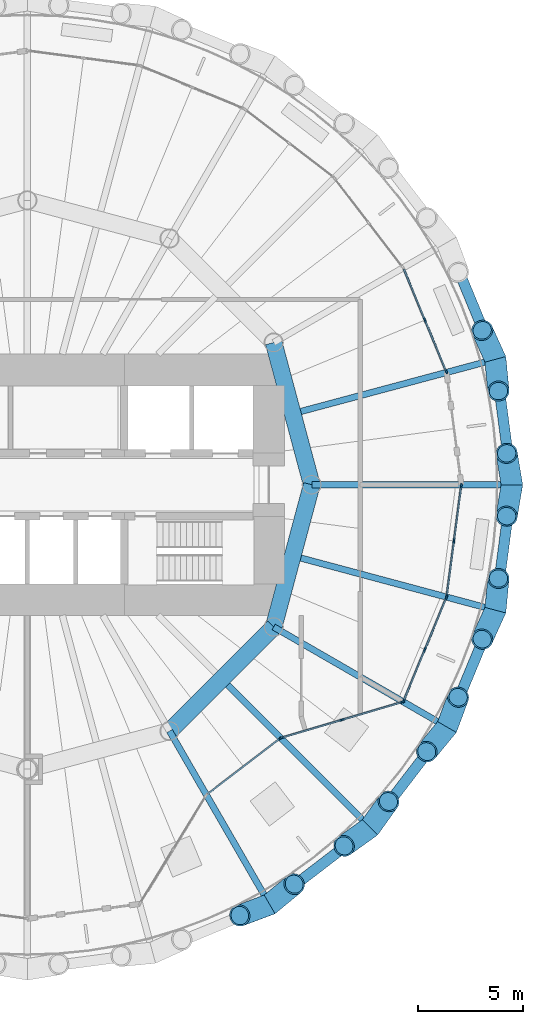
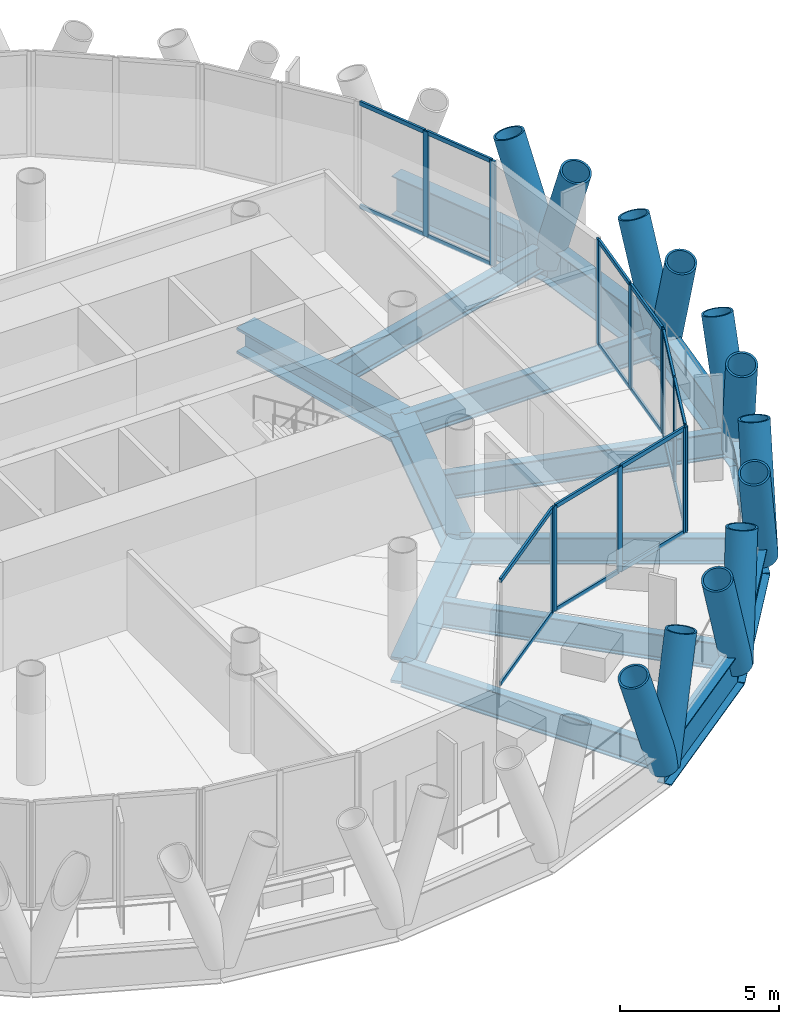
# One storey, part 4 of 14: 42 members, 15 beams, 5 elements without a shape of their own.
"""IFC4 building model written with IfcOpenShell, lengths in metres."""

from ifc_helpers import new_model, si_unit, direction, frame, origin, origin_2d, place, context, subcontext, project, spatial, rectangle, hollow_circle, i_section, extrude, material, material_profile, profile_set, type_object, element, aggregate, save


model = new_model("IFC4")

# Units and contexts
model_context = context("Model", 3, precision=1e-05, world=origin(), true_north=direction((0.0, 1.0)))
body_context = subcontext(model_context, "Body", "Model", "MODEL_VIEW")
ifc_project = project(units=[si_unit("LENGTHUNIT", "METRE"), si_unit("AREAUNIT", "SQUARE_METRE"), si_unit("VOLUMEUNIT", "CUBIC_METRE"), si_unit("PLANEANGLEUNIT", "RADIAN"), si_unit("MASSUNIT", "GRAM", prefix="KILO")], contexts=[model_context])

# Site, building, storey
site_placement = place(None, origin())
site = spatial("IfcSite", under=ifc_project, at=site_placement, CompositionType="ELEMENT")
building_placement = place(site_placement, origin())
building = spatial("IfcBuilding", under=site, at=building_placement, Name="Qaws Media Tower", CompositionType="ELEMENT")
storey_placement = place(building_placement, frame((0.0, 0.0, 210.800048828125)))
storey = spatial("IfcBuildingStorey", under=building, at=storey_placement, Name="L48", CompositionType="ELEMENT", Elevation=210.800048828125)

# Curtain wall, members
ifc_material_1 = material(Name="Aluminium and clear glass", Category="aluminium")
curtain_wall_type_1 = type_object("IfcCurtainWallType", Name="Unitised curtain wall CW-C", PredefinedType="NOTDEFINED", material=ifc_material_1)
curtain_wall_1_placement = place(storey_placement, origin())
curtain_wall_1 = element("IfcCurtainWall", 1, at=curtain_wall_1_placement, inside=storey, type_object=curtain_wall_type_1, Name="CWC curtain wall L48-02", PredefinedType="NOTDEFINED")
ifc_material_2 = material(Name="Aluminium mullion", Category="aluminium")
ifc_material_profile_1 = material_profile(ifc_material_2, rectangle(XDim=0.080078125, YDim=0.199951171875, at=origin_2d()), Name="80x200")
ifc_profile_set_1 = profile_set([ifc_material_profile_1], Name="Aluminium mullion")
member_type_1 = type_object("IfcMemberType", Name="Curtain wall mullion 80x200", PredefinedType="MULLION", material=ifc_profile_set_1)
member_1_placement = place(storey_placement, frame((79.8828125, 55.36865234375, 0.0), z_axis=(0.0, 0.0, 1.0), x_axis=(-0.923879521985, -0.382683457778, 0.0)))
member_1 = element("IfcMember", 2, at=member_1_placement, type_object=member_type_1, Name="CWC mullion 1", PredefinedType="MULLION", context=body_context, shape_type="SweptSolid", body=[
    extrude(rectangle(XDim=0.080078125, YDim=0.199951171875, at=origin_2d()), origin(), (0.0, 0.0, 1.0), 4.0400390625),
])
member_2_placement = place(storey_placement, frame((78.869140625, 57.81591796875, 0.0), z_axis=(0.0, 0.0, 1.0), x_axis=(-0.923879521985, -0.382683457778, 0.0)))
member_2 = element("IfcMember", 3, at=member_2_placement, type_object=member_type_1, Name="CWC mullion 2", PredefinedType="MULLION", context=body_context, shape_type="SweptSolid", body=[
    extrude(rectangle(XDim=0.080078125, YDim=0.199951171875, at=origin_2d()), origin(), (0.0, 0.0, 1.0), 4.0400390625),
])

# Curtain wall, member
ifc_material_3 = material(Name="Aluminium and clear glass", Category="aluminium")
curtain_wall_type_2 = type_object("IfcCurtainWallType", Name="Loggia curtain wall CW-G", PredefinedType="NOTDEFINED", material=ifc_material_3)
curtain_wall_2_placement = place(storey_placement, origin())
curtain_wall_2 = element("IfcCurtainWall", 4, at=curtain_wall_2_placement, inside=storey, type_object=curtain_wall_type_2, Name="CWG curtain wall L48-21", PredefinedType="NOTDEFINED")
member_3_placement = place(storey_placement, frame((71.989013671875, 37.954833984375, 0.0), z_axis=(0.0, 0.0, 1.0), x_axis=(-0.608761518472, 0.793353271644, 0.0)))
member_3 = element("IfcMember", 5, at=member_3_placement, type_object=member_type_1, Name="CWG mullion 2", PredefinedType="MULLION", context=body_context, shape_type="SweptSolid", body=[
    extrude(rectangle(XDim=0.080078125, YDim=0.199951171875, at=origin_2d()), origin(), (0.0, 0.0, 1.0), 4.0400390625),
])

# Curtain wall, members
curtain_wall_3_placement = place(storey_placement, origin())
curtain_wall_3 = element("IfcCurtainWall", 6, at=curtain_wall_3_placement, inside=storey, type_object=curtain_wall_type_2, Name="CWG curtain wall L48-22", PredefinedType="NOTDEFINED")
member_4_placement = place(storey_placement, frame((72.05908203125, 37.990478515625, 0.0), z_axis=(0.0, 0.0, 1.0), x_axis=(-0.283569529709, 0.958951678564, 0.0)))
member_4 = element("IfcMember", 7, at=member_4_placement, type_object=member_type_1, Name="CWG mullion 1", PredefinedType="MULLION", context=body_context, shape_type="SweptSolid", body=[
    extrude(rectangle(XDim=0.080078125, YDim=0.199951171875, at=origin_2d()), origin(), (0.0, 0.0, 1.0), 4.0400390625),
])
member_5_placement = place(storey_placement, frame((74.930419921875, 38.839599609375, 0.0), z_axis=(0.0, 0.0, 1.0), x_axis=(-0.283569529709, 0.958951678564, 0.0)))
member_5 = element("IfcMember", 8, at=member_5_placement, type_object=member_type_1, Name="CWG mullion 2", PredefinedType="MULLION", context=body_context, shape_type="SweptSolid", body=[
    extrude(rectangle(XDim=0.080078125, YDim=0.199951171875, at=origin_2d()), origin(), (0.0, 0.0, 1.0), 4.0400390625),
])
member_6_placement = place(storey_placement, frame((77.8017578125, 39.688720703125, 0.0), z_axis=(0.0, 0.0, 1.0), x_axis=(-0.283569529709, 0.958951678564, 0.0)))
member_6 = element("IfcMember", 9, at=member_6_placement, type_object=member_type_1, Name="CWG mullion 3", PredefinedType="MULLION", context=body_context, shape_type="SweptSolid", body=[
    extrude(rectangle(XDim=0.080078125, YDim=0.199951171875, at=origin_2d()), origin(), (0.0, 0.0, 1.0), 4.0400390625),
])

curtain_wall_4_placement = place(storey_placement, origin())
curtain_wall_4 = element("IfcCurtainWall", 10, at=curtain_wall_4_placement, inside=storey, type_object=curtain_wall_type_1, Name="CWC curtain wall L48-23", PredefinedType="NOTDEFINED")
member_7_placement = place(storey_placement, frame((77.85546875, 39.737060546875, 0.0), z_axis=(0.0, 0.0, 1.0), x_axis=(-0.923879521985, 0.382683457778, 0.0)))
member_7 = element("IfcMember", 11, at=member_7_placement, type_object=member_type_1, Name="CWC mullion 1", PredefinedType="MULLION", context=body_context, shape_type="SweptSolid", body=[
    extrude(rectangle(XDim=0.080078125, YDim=0.199951171875, at=origin_2d()), origin(), (0.0, 0.0, 1.0), 4.0400390625),
])
member_8_placement = place(storey_placement, frame((78.869140625, 42.18408203125, 0.0), z_axis=(0.0, 0.0, 1.0), x_axis=(-0.923879521985, 0.382683457778, 0.0)))
member_8 = element("IfcMember", 12, at=member_8_placement, type_object=member_type_1, Name="CWC mullion 2", PredefinedType="MULLION", context=body_context, shape_type="SweptSolid", body=[
    extrude(rectangle(XDim=0.080078125, YDim=0.199951171875, at=origin_2d()), origin(), (0.0, 0.0, 1.0), 4.0400390625),
])
member_9_placement = place(storey_placement, frame((79.8828125, 44.63134765625, 0.0), z_axis=(0.0, 0.0, 1.0), x_axis=(-0.923879521985, 0.382683457778, 0.0)))
member_9 = element("IfcMember", 13, at=member_9_placement, type_object=member_type_1, Name="CWC mullion 3", PredefinedType="MULLION", context=body_context, shape_type="SweptSolid", body=[
    extrude(rectangle(XDim=0.080078125, YDim=0.199951171875, at=origin_2d()), origin(), (0.0, 0.0, 1.0), 4.0400390625),
])

curtain_wall_5_placement = place(storey_placement, origin())
curtain_wall_5 = element("IfcCurtainWall", 14, at=curtain_wall_5_placement, inside=storey, type_object=curtain_wall_type_1, Name="CWC curtain wall L48-24", PredefinedType="NOTDEFINED")
member_10_placement = place(storey_placement, frame((79.9033203125, 44.7080078125, 0.0), z_axis=(0.0, 0.0, 1.0), x_axis=(-0.991444859813, 0.130526204073, 0.0)))
member_10 = element("IfcMember", 15, at=member_10_placement, type_object=member_type_1, Name="CWC mullion 1", PredefinedType="MULLION", context=body_context, shape_type="SweptSolid", body=[
    extrude(rectangle(XDim=0.080078125, YDim=0.199951171875, at=origin_2d()), origin(), (0.0, 0.0, 1.0), 4.0400390625),
])
member_11_placement = place(storey_placement, frame((80.2490234375, 47.334228515625, 0.0), z_axis=(0.0, 0.0, 1.0), x_axis=(-0.991444859813, 0.130526204073, 0.0)))
member_11 = element("IfcMember", 16, at=member_11_placement, type_object=member_type_1, Name="CWC mullion 2", PredefinedType="MULLION", context=body_context, shape_type="SweptSolid", body=[
    extrude(rectangle(XDim=0.080078125, YDim=0.199951171875, at=origin_2d()), origin(), (0.0, 0.0, 1.0), 4.0400390625),
])
member_12_placement = place(storey_placement, frame((80.5947265625, 49.96044921875, 0.0), z_axis=(0.0, 0.0, 1.0), x_axis=(-0.991444859813, 0.130526204073, 0.0)))
member_12 = element("IfcMember", 17, at=member_12_placement, type_object=member_type_1, Name="CWC mullion 3", PredefinedType="MULLION", context=body_context, shape_type="SweptSolid", body=[
    extrude(rectangle(XDim=0.080078125, YDim=0.199951171875, at=origin_2d()), origin(), (0.0, 0.0, 1.0), 4.0400390625),
])

# Member
ifc_material_4 = material(Name="Aluminium transom", Category="aluminium")
ifc_material_profile_2 = material_profile(ifc_material_4, rectangle(XDim=0.080078125, YDim=0.159912109375, at=origin_2d()), Name="80x160")
ifc_profile_set_2 = profile_set([ifc_material_profile_2], Name="Aluminium transom")
member_type_2 = type_object("IfcMemberType", Name="Curtain wall transom 80x160", PredefinedType="USERDEFINED", material=ifc_profile_set_2)
member_13_placement = place(storey_placement, frame((79.867431640625, 55.405517578125, 0.0400390625), z_axis=(-0.382637188535, 0.923898685977, 0.0), x_axis=(-0.923898685977, -0.382637188535, 0.0)))
member_13 = element("IfcMember", 18, at=member_13_placement, type_object=member_type_2, Name="CWC transom 1.1", ObjectType="TRANSOM", PredefinedType="USERDEFINED", context=body_context, shape_type="SweptSolid", body=[
    extrude(rectangle(XDim=0.080078125, YDim=0.159912109375, at=origin_2d()), origin(), (0.0, 0.0, 1.0), 2.56884765625),
])

member_14_placement = place(storey_placement, frame((79.867431640625, 55.405517578125, 4.0), z_axis=(-0.382637188535, 0.923898685977, 0.0), x_axis=(-0.923898685977, -0.382637188535, 0.0)))
member_14 = element("IfcMember", 19, at=member_14_placement, type_object=member_type_2, Name="CWC transom 1.2", ObjectType="TRANSOM", PredefinedType="USERDEFINED", context=body_context, shape_type="SweptSolid", body=[
    extrude(rectangle(XDim=0.080078125, YDim=0.159912109375, at=origin_2d()), origin(), (0.0, 0.0, 1.0), 2.56884765625),
])

member_15_placement = place(storey_placement, frame((78.853759765625, 57.852783203125, 0.0400390625), z_axis=(-0.382637188535, 0.923898685977, 0.0), x_axis=(-0.923898685977, -0.382637188535, 0.0)))
member_15 = element("IfcMember", 20, at=member_15_placement, type_object=member_type_2, Name="CWC transom 2.1", ObjectType="TRANSOM", PredefinedType="USERDEFINED", context=body_context, shape_type="SweptSolid", body=[
    extrude(rectangle(XDim=0.080078125, YDim=0.159912109375, at=origin_2d()), origin(), (0.0, 0.0, 1.0), 2.56884765625),
])

member_16_placement = place(storey_placement, frame((78.853759765625, 57.852783203125, 4.0), z_axis=(-0.382637188535, 0.923898685977, 0.0), x_axis=(-0.923898685977, -0.382637188535, 0.0)))
member_16 = element("IfcMember", 21, at=member_16_placement, type_object=member_type_2, Name="CWC transom 2.2", ObjectType="TRANSOM", PredefinedType="USERDEFINED", context=body_context, shape_type="SweptSolid", body=[
    extrude(rectangle(XDim=0.080078125, YDim=0.159912109375, at=origin_2d()), origin(), (0.0, 0.0, 1.0), 2.56884765625),
])

aggregate(curtain_wall_1, [member_1, member_2, member_13, member_14, member_15, member_16])

member_17_placement = place(storey_placement, frame((68.5634765625, 35.326171875, 0.0400390625), z_axis=(0.793342658351, 0.608775349732, 0.0), x_axis=(-0.608775349732, 0.793342658351, 0.0)))
member_17 = element("IfcMember", 22, at=member_17_placement, type_object=member_type_2, Name="CWG transom 1.1", ObjectType="TRANSOM", PredefinedType="USERDEFINED", context=body_context, shape_type="SweptSolid", body=[
    extrude(rectangle(XDim=0.080078125, YDim=0.159912109375, at=origin_2d()), origin(), (0.0, 0.0, 1.0), 4.27783203125),
])

member_18_placement = place(storey_placement, frame((68.5634765625, 35.326171875, 4.0), z_axis=(0.793342658351, 0.608775349732, 0.0), x_axis=(-0.608775349732, 0.793342658351, 0.0)))
member_18 = element("IfcMember", 23, at=member_18_placement, type_object=member_type_2, Name="CWG transom 1.2", ObjectType="TRANSOM", PredefinedType="USERDEFINED", context=body_context, shape_type="SweptSolid", body=[
    extrude(rectangle(XDim=0.080078125, YDim=0.159912109375, at=origin_2d()), origin(), (0.0, 0.0, 1.0), 4.27783203125),
])

aggregate(curtain_wall_2, [member_3, member_17, member_18])

member_19_placement = place(storey_placement, frame((72.097412109375, 38.001953125, 0.0400390625), z_axis=(0.958950941538, 0.283572022111, 0.0), x_axis=(-0.283572022111, 0.958950941538, 0.0)))
member_19 = element("IfcMember", 24, at=member_19_placement, type_object=member_type_2, Name="CWG transom 1.1", ObjectType="TRANSOM", PredefinedType="USERDEFINED", context=body_context, shape_type="SweptSolid", body=[
    extrude(rectangle(XDim=0.080078125, YDim=0.159912109375, at=origin_2d()), origin(), (0.0, 0.0, 1.0), 2.914306640625),
])

member_20_placement = place(storey_placement, frame((72.097412109375, 38.001953125, 4.0), z_axis=(0.958950941538, 0.283572022111, 0.0), x_axis=(-0.283572022111, 0.958950941538, 0.0)))
member_20 = element("IfcMember", 25, at=member_20_placement, type_object=member_type_2, Name="CWG transom 1.2", ObjectType="TRANSOM", PredefinedType="USERDEFINED", context=body_context, shape_type="SweptSolid", body=[
    extrude(rectangle(XDim=0.080078125, YDim=0.159912109375, at=origin_2d()), origin(), (0.0, 0.0, 1.0), 2.914306640625),
])

member_21_placement = place(storey_placement, frame((74.96875, 38.850830078125, 0.0400390625), z_axis=(0.958950941538, 0.283572022111, 0.0), x_axis=(-0.283572022111, 0.958950941538, 0.0)))
member_21 = element("IfcMember", 26, at=member_21_placement, type_object=member_type_2, Name="CWG transom 2.1", ObjectType="TRANSOM", PredefinedType="USERDEFINED", context=body_context, shape_type="SweptSolid", body=[
    extrude(rectangle(XDim=0.080078125, YDim=0.159912109375, at=origin_2d()), origin(), (0.0, 0.0, 1.0), 2.914306640625),
])

member_22_placement = place(storey_placement, frame((74.96875, 38.850830078125, 4.0), z_axis=(0.958950941538, 0.283572022111, 0.0), x_axis=(-0.283572022111, 0.958950941538, 0.0)))
member_22 = element("IfcMember", 27, at=member_22_placement, type_object=member_type_2, Name="CWG transom 2.2", ObjectType="TRANSOM", PredefinedType="USERDEFINED", context=body_context, shape_type="SweptSolid", body=[
    extrude(rectangle(XDim=0.080078125, YDim=0.159912109375, at=origin_2d()), origin(), (0.0, 0.0, 1.0), 2.914306640625),
])

aggregate(curtain_wall_3, [member_4, member_5, member_6, member_19, member_20, member_21, member_22])

member_23_placement = place(storey_placement, frame((77.870849609375, 39.77392578125, 0.0400390625), z_axis=(0.382637188535, 0.923898685977, 0.0), x_axis=(-0.923898685977, 0.382637188535, 0.0)))
member_23 = element("IfcMember", 28, at=member_23_placement, type_object=member_type_2, Name="CWC transom 1.1", ObjectType="TRANSOM", PredefinedType="USERDEFINED", context=body_context, shape_type="SweptSolid", body=[
    extrude(rectangle(XDim=0.080078125, YDim=0.159912109375, at=origin_2d()), origin(), (0.0, 0.0, 1.0), 2.56884765625),
])

member_24_placement = place(storey_placement, frame((77.870849609375, 39.77392578125, 4.0), z_axis=(0.382637188535, 0.923898685977, 0.0), x_axis=(-0.923898685977, 0.382637188535, 0.0)))
member_24 = element("IfcMember", 29, at=member_24_placement, type_object=member_type_2, Name="CWC transom 1.2", ObjectType="TRANSOM", PredefinedType="USERDEFINED", context=body_context, shape_type="SweptSolid", body=[
    extrude(rectangle(XDim=0.080078125, YDim=0.159912109375, at=origin_2d()), origin(), (0.0, 0.0, 1.0), 2.56884765625),
])

member_25_placement = place(storey_placement, frame((78.884521484375, 42.22119140625, 0.0400390625), z_axis=(0.382637188535, 0.923898685977, 0.0), x_axis=(-0.923898685977, 0.382637188535, 0.0)))
member_25 = element("IfcMember", 30, at=member_25_placement, type_object=member_type_2, Name="CWC transom 2.1", ObjectType="TRANSOM", PredefinedType="USERDEFINED", context=body_context, shape_type="SweptSolid", body=[
    extrude(rectangle(XDim=0.080078125, YDim=0.159912109375, at=origin_2d()), origin(), (0.0, 0.0, 1.0), 2.56884765625),
])

member_26_placement = place(storey_placement, frame((78.884521484375, 42.22119140625, 4.0), z_axis=(0.382637188535, 0.923898685977, 0.0), x_axis=(-0.923898685977, 0.382637188535, 0.0)))
member_26 = element("IfcMember", 31, at=member_26_placement, type_object=member_type_2, Name="CWC transom 2.2", ObjectType="TRANSOM", PredefinedType="USERDEFINED", context=body_context, shape_type="SweptSolid", body=[
    extrude(rectangle(XDim=0.080078125, YDim=0.159912109375, at=origin_2d()), origin(), (0.0, 0.0, 1.0), 2.56884765625),
])

aggregate(curtain_wall_4, [member_7, member_8, member_9, member_23, member_24, member_25, member_26])

member_27_placement = place(storey_placement, frame((79.908447265625, 44.74755859375, 0.0400390625), z_axis=(0.130582350348, 0.991437466398, 0.0), x_axis=(-0.991437466398, 0.130582350348, 0.0)))
member_27 = element("IfcMember", 32, at=member_27_placement, type_object=member_type_2, Name="CWC transom 1.1", ObjectType="TRANSOM", PredefinedType="USERDEFINED", context=body_context, shape_type="SweptSolid", body=[
    extrude(rectangle(XDim=0.080078125, YDim=0.159912109375, at=origin_2d()), origin(), (0.0, 0.0, 1.0), 2.56884765625),
])

member_28_placement = place(storey_placement, frame((79.908447265625, 44.74755859375, 4.0), z_axis=(0.130582350348, 0.991437466398, 0.0), x_axis=(-0.991437466398, 0.130582350348, 0.0)))
member_28 = element("IfcMember", 33, at=member_28_placement, type_object=member_type_2, Name="CWC transom 1.2", ObjectType="TRANSOM", PredefinedType="USERDEFINED", context=body_context, shape_type="SweptSolid", body=[
    extrude(rectangle(XDim=0.080078125, YDim=0.159912109375, at=origin_2d()), origin(), (0.0, 0.0, 1.0), 2.56884765625),
])

member_29_placement = place(storey_placement, frame((80.254150390625, 47.373779296875, 0.0400390625), z_axis=(0.130582350348, 0.991437466398, 0.0), x_axis=(-0.991437466398, 0.130582350348, 0.0)))
member_29 = element("IfcMember", 34, at=member_29_placement, type_object=member_type_2, Name="CWC transom 2.1", ObjectType="TRANSOM", PredefinedType="USERDEFINED", context=body_context, shape_type="SweptSolid", body=[
    extrude(rectangle(XDim=0.080078125, YDim=0.159912109375, at=origin_2d()), origin(), (0.0, 0.0, 1.0), 2.56884765625),
])

member_30_placement = place(storey_placement, frame((80.254150390625, 47.373779296875, 4.0), z_axis=(0.130582350348, 0.991437466398, 0.0), x_axis=(-0.991437466398, 0.130582350348, 0.0)))
member_30 = element("IfcMember", 35, at=member_30_placement, type_object=member_type_2, Name="CWC transom 2.2", ObjectType="TRANSOM", PredefinedType="USERDEFINED", context=body_context, shape_type="SweptSolid", body=[
    extrude(rectangle(XDim=0.080078125, YDim=0.159912109375, at=origin_2d()), origin(), (0.0, 0.0, 1.0), 2.56884765625),
])

aggregate(curtain_wall_5, [member_10, member_11, member_12, member_27, member_28, member_29, member_30])

# Members
ifc_material_5 = material(Name="Steel S460", Category="steel")
ifc_material_profile_3 = material_profile(ifc_material_5, hollow_circle(Radius=0.508056640625, WallThickness=0.070068359375, at=origin_2d()), Name="CHS 1016x70")
ifc_profile_set_3 = profile_set([ifc_material_profile_3], Name="Steel S460")
member_type_3 = type_object("IfcMemberType", Name="Diagrid member CHS 1016x70", PredefinedType="USERDEFINED", material=ifc_profile_set_3)
for number, where, z_axis, x_axis, name in (
    (36, (83.0, 50.0, -0.91015625), (-0.055730204932, 0.334053083144, 0.940905245973), (-0.986367724101, -0.164556108523, 0.0), "DG3 diagrid L48 A01"),
    (37, (83.0, 50.0, -0.91015625), (-0.055730204932, -0.334053083144, 0.940905245973), (0.986367724101, -0.164556108523, 0.0), "DG3 diagrid L48 B01"),
):
    element("IfcMember", number, at=place(storey_placement, frame(where, z_axis=z_axis, x_axis=x_axis)), inside=storey, type_object=member_type_3, Name=name, ObjectType="DIAGRID", PredefinedType="USERDEFINED", context=body_context, shape_type="SweptSolid", body=[
        extrude(hollow_circle(Radius=0.508056640625, WallThickness=0.070068359375, at=origin_2d()), origin(), (0.0, 0.0, 1.0), 4.464111328125),
    ])
member_31_placement = place(storey_placement, frame((82.21630859375, 55.952880859375, -0.91015625), z_axis=(-0.140283089517, 0.308239958096, 0.940908488127), x_axis=(-0.910172807852, -0.414228753041, 0.0)))
element("IfcMember", 38, at=member_31_placement, inside=storey, type_object=member_type_3, Name="DG3 diagrid L48 A02", ObjectType="DIAGRID", PredefinedType="USERDEFINED", context=body_context, shape_type="SweptSolid", body=[
    extrude(hollow_circle(Radius=0.508056640625, WallThickness=0.070068359375, at=origin_2d()), origin(), (0.0, 0.0, 1.0), 4.4638671875),
])
for number, where, z_axis, x_axis, name in (
    (39, (82.21630859375, 55.952880859375, -0.91015625), (0.032595681176, -0.337113722769, 0.940899494893), (0.995358000855, 0.096241623704, 0.0), "DG3 diagrid L48 B02"),
    (40, (71.5, 30.081298828125, -0.91015625), (0.26142241975, 0.215318005555, 0.940901947567), (-0.635758193506, 0.771888281677, 0.0), "DG3 diagrid L48 A21"),
):
    element("IfcMember", number, at=place(storey_placement, frame(where, z_axis=z_axis, x_axis=x_axis)), inside=storey, type_object=member_type_3, Name=name, ObjectType="DIAGRID", PredefinedType="USERDEFINED", context=body_context, shape_type="SweptSolid", body=[
        extrude(hollow_circle(Radius=0.508056640625, WallThickness=0.070068359375, at=origin_2d()), origin(), (0.0, 0.0, 1.0), 4.464111328125),
    ])
for number, where, z_axis, x_axis, name in (
    (41, (71.5, 30.081298828125, -0.91015625), (-0.317155620088, -0.118735101088, 0.940911413692), (0.350610137877, -0.936521506009, 0.0), "DG3 diagrid L48 B21"),
    (42, (76.263427734375, 33.736572265625, -0.91015625), (0.196781105372, 0.275591992766, 0.940917770101), (-0.813831673053, 0.581100686573, 0.0), "DG3 diagrid L48 A22"),
    (43, (76.263427734375, 33.736572265625, -0.91015625), (-0.275591992766, -0.196781105372, 0.940917770101), (0.581100686573, -0.813831673053, 0.0), "DG3 diagrid L48 B22"),
    (44, (79.918701171875, 38.5, -0.91015625), (0.118735101088, 0.317155620088, 0.940911413692), (-0.936521506009, 0.350610137877, 0.0), "DG3 diagrid L48 A23"),
):
    element("IfcMember", number, at=place(storey_placement, frame(where, z_axis=z_axis, x_axis=x_axis)), inside=storey, type_object=member_type_3, Name=name, ObjectType="DIAGRID", PredefinedType="USERDEFINED", context=body_context, shape_type="SweptSolid", body=[
        extrude(hollow_circle(Radius=0.508056640625, WallThickness=0.070068359375, at=origin_2d()), origin(), (0.0, 0.0, 1.0), 4.4638671875),
    ])
for number, where, z_axis, x_axis, name in (
    (45, (79.918701171875, 38.5, -0.91015625), (-0.215318005555, -0.26142241975, 0.940901947567), (0.771888281677, -0.635758193506, 0.0), "DG3 diagrid L48 B23"),
    (46, (82.21630859375, 44.047119140625, -0.91015625), (0.032595681176, 0.337113722769, 0.940899494893), (-0.995358000855, 0.096241623704, 0.0), "DG3 diagrid L48 A24"),
):
    element("IfcMember", number, at=place(storey_placement, frame(where, z_axis=z_axis, x_axis=x_axis)), inside=storey, type_object=member_type_3, Name=name, ObjectType="DIAGRID", PredefinedType="USERDEFINED", context=body_context, shape_type="SweptSolid", body=[
        extrude(hollow_circle(Radius=0.508056640625, WallThickness=0.070068359375, at=origin_2d()), origin(), (0.0, 0.0, 1.0), 4.464111328125),
    ])
member_32_placement = place(storey_placement, frame((82.21630859375, 44.047119140625, -0.91015625), z_axis=(-0.140283089517, -0.308239958096, 0.940908488127), x_axis=(0.910172807852, -0.414228753041, 0.0)))
element("IfcMember", 47, at=member_32_placement, inside=storey, type_object=member_type_3, Name="DG3 diagrid L48 B24", ObjectType="DIAGRID", PredefinedType="USERDEFINED", context=body_context, shape_type="SweptSolid", body=[
    extrude(hollow_circle(Radius=0.508056640625, WallThickness=0.070068359375, at=origin_2d()), origin(), (0.0, 0.0, 1.0), 4.4638671875),
])

# Beams
ifc_material_6 = material(Name="Steel S460", Category="steel")
ifc_material_profile_4 = material_profile(ifc_material_6, i_section(OverallWidth=0.5, OverallDepth=1.5, WebThickness=0.02001953125, FlangeThickness=0.0400390625, at=origin_2d()), Name="PG 1500x500")
ifc_profile_set_4 = profile_set([ifc_material_profile_4], Name="Steel S460")
beam_type_1 = type_object("IfcBeamType", Name="Edge ring beam PG 1500x500", PredefinedType="BEAM", material=ifc_profile_set_4)
for number, where, z_axis, x_axis, name in (
    (48, (83.0, 50.0, -0.91015625), (-0.130522880875, 0.991445297315, 0.0), (-0.991445297315, -0.130522880875, 0.0), "RB4 edge ring beam L48-01"),
    (49, (82.21630859375, 55.952880859375, -0.91015625), (-0.382671411433, 0.923884511653, 0.0), (-0.923884511653, -0.382671411433, 0.0), "RB4 edge ring beam L48-02"),
    (50, (71.5, 30.081298828125, -0.91015625), (0.793339924758, 0.608778912074, 0.0), (-0.608778912074, 0.793339924758, 0.0), "RB4 edge ring beam L48-21"),
    (51, (76.263427734375, 33.736572265625, -0.91015625), (0.608778912074, 0.793339924758, 0.0), (-0.793339924758, 0.608778912074, 0.0), "RB4 edge ring beam L48-22"),
    (52, (79.918701171875, 38.5, -0.91015625), (0.382671411433, 0.923884511653, 0.0), (-0.923884511653, 0.382671411433, 0.0), "RB4 edge ring beam L48-23"),
    (53, (82.21630859375, 44.047119140625, -0.91015625), (0.130522880875, 0.991445297315, 0.0), (-0.991445297315, 0.130522880875, 0.0), "RB4 edge ring beam L48-24"),
):
    element("IfcBeam", number, at=place(storey_placement, frame(where, z_axis=z_axis, x_axis=x_axis)), inside=storey, type_object=beam_type_1, Name=name, PredefinedType="BEAM", context=body_context, shape_type="SweptSolid", body=[
        extrude(i_section(OverallWidth=0.5, OverallDepth=1.5, WebThickness=0.02001953125, FlangeThickness=0.0400390625, at=origin_2d()), origin(), (0.0, 0.0, 1.0), 6.004150390625),
    ])
ifc_material_7 = material(Name="Steel S460", Category="steel")
ifc_material_profile_5 = material_profile(ifc_material_7, i_section(OverallWidth=0.800048828125, OverallDepth=1.0, WebThickness=0.0400390625, FlangeThickness=0.10009765625, at=origin_2d()), Name="PG 1000x800")
ifc_profile_set_5 = profile_set([ifc_material_profile_5], Name="Steel S460")
beam_type_2 = type_object("IfcBeamType", Name="Inner ring girder PG 1000x800", PredefinedType="BEAM", material=ifc_profile_set_5)
beam_1_placement = place(storey_placement, frame((73.5, 50.0, -0.66015625), z_axis=(-0.258810593767, 0.965928090778, 0.0), x_axis=(-0.965928090778, -0.258810593767, 0.0)))
element("IfcBeam", 54, at=beam_1_placement, inside=storey, type_object=beam_type_2, Name="B3 inner ring beam L48 I01-I02", PredefinedType="BEAM", context=body_context, shape_type="SweptSolid", body=[
    extrude(i_section(OverallWidth=0.800048828125, OverallDepth=1.0, WebThickness=0.0400390625, FlangeThickness=0.10009765625, at=origin_2d()), origin(), (0.0, 0.0, 1.0), 6.988037109375),
])
beam_2_placement = place(storey_placement, frame((66.75, 38.30859375, -0.66015625), z_axis=(0.707106781187, 0.707106781187, 0.0), x_axis=(-0.707106781187, 0.707106781187, 0.0)))
element("IfcBeam", 55, at=beam_2_placement, inside=storey, type_object=beam_type_2, Name="B3 inner ring beam L48 I11-I12", PredefinedType="BEAM", context=body_context, shape_type="SweptSolid", body=[
    extrude(i_section(OverallWidth=0.800048828125, OverallDepth=1.0, WebThickness=0.0400390625, FlangeThickness=0.10009765625, at=origin_2d()), origin(), (0.0, 0.0, 1.0), 6.98828125),
])
beam_3_placement = place(storey_placement, frame((71.69140625, 43.25, -0.66015625), z_axis=(0.258810593767, 0.965928090778, 0.0), x_axis=(-0.965928090778, 0.258810593767, 0.0)))
element("IfcBeam", 56, at=beam_3_placement, inside=storey, type_object=beam_type_2, Name="B3 inner ring beam L48 I12-I01", PredefinedType="BEAM", context=body_context, shape_type="SweptSolid", body=[
    extrude(i_section(OverallWidth=0.800048828125, OverallDepth=1.0, WebThickness=0.0400390625, FlangeThickness=0.10009765625, at=origin_2d()), origin(), (0.0, 0.0, 1.0), 6.988037109375),
])
ifc_material_8 = material(Name="Steel S355", Category="steel")
ifc_material_profile_6 = material_profile(ifc_material_8, i_section(OverallWidth=0.302001953125, OverallDepth=1.008056640625, WebThickness=0.02099609375, FlangeThickness=0.0400390625, FilletRadius=0.030029296875, at=origin_2d()), Name="HE 1000 M")
ifc_profile_set_6 = profile_set([ifc_material_profile_6], Name="Steel S355")
beam_type_3 = type_object("IfcBeamType", Name="Radial beam HE 1000 M", PredefinedType="BEAM", material=ifc_profile_set_6)
beam_4_placement = place(storey_placement, frame((73.5, 50.0, -0.6640625), z_axis=(1.0, 0.0, 0.0), x_axis=(0.0, 1.0, 0.0)))
element("IfcBeam", 57, at=beam_4_placement, inside=storey, type_object=beam_type_3, Name="B1 radial beam L48 01", PredefinedType="BEAM", context=body_context, shape_type="SweptSolid", body=[
    extrude(i_section(OverallWidth=0.302001953125, OverallDepth=1.008056640625, WebThickness=0.02099609375, FlangeThickness=0.0400390625, FilletRadius=0.030029296875, at=origin_2d()), origin(), (0.0, 0.0, 1.0), 9.5),
])
beam_5_placement = place(storey_placement, frame((72.98193359375, 53.478515625, -0.6640625), z_axis=(0.965925253321, 0.258821183439, 0.0), x_axis=(-0.258821183439, 0.965925253321, 0.0)))
element("IfcBeam", 58, at=beam_5_placement, inside=storey, type_object=beam_type_3, Name="B1 radial beam L48 02", PredefinedType="BEAM", context=body_context, shape_type="SweptSolid", body=[
    extrude(i_section(OverallWidth=0.302001953125, OverallDepth=1.008056640625, WebThickness=0.02099609375, FlangeThickness=0.0400390625, FilletRadius=0.030029296875, at=origin_2d()), origin(), (0.0, 0.0, 1.0), 9.56005859375),
])
beam_6_placement = place(storey_placement, frame((66.75, 38.30859375, -0.6640625), z_axis=(0.499997557548, -0.86602681393, 0.0), x_axis=(0.86602681393, 0.499997557548, 0.0)))
element("IfcBeam", 59, at=beam_6_placement, inside=storey, type_object=beam_type_3, Name="B1 radial beam L48 21", PredefinedType="BEAM", context=body_context, shape_type="SweptSolid", body=[
    extrude(i_section(OverallWidth=0.302001953125, OverallDepth=1.008056640625, WebThickness=0.02099609375, FlangeThickness=0.0400390625, FilletRadius=0.030029296875, at=origin_2d()), origin(), (0.0, 0.0, 1.0), 9.5),
])
beam_7_placement = place(storey_placement, frame((69.50341796875, 40.49658203125, -0.6640625), z_axis=(0.707106781187, -0.707106781187, 0.0), x_axis=(0.707106781187, 0.707106781187, 0.0)))
element("IfcBeam", 60, at=beam_7_placement, inside=storey, type_object=beam_type_3, Name="B1 radial beam L48 22", PredefinedType="BEAM", context=body_context, shape_type="SweptSolid", body=[
    extrude(i_section(OverallWidth=0.302001953125, OverallDepth=1.008056640625, WebThickness=0.02099609375, FlangeThickness=0.0400390625, FilletRadius=0.030029296875, at=origin_2d()), origin(), (0.0, 0.0, 1.0), 9.56005859375),
])
beam_8_placement = place(storey_placement, frame((71.69140625, 43.25, -0.6640625), z_axis=(0.86602681393, -0.499997557548, 0.0), x_axis=(0.499997557548, 0.86602681393, 0.0)))
element("IfcBeam", 61, at=beam_8_placement, inside=storey, type_object=beam_type_3, Name="B1 radial beam L48 23", PredefinedType="BEAM", context=body_context, shape_type="SweptSolid", body=[
    extrude(i_section(OverallWidth=0.302001953125, OverallDepth=1.008056640625, WebThickness=0.02099609375, FlangeThickness=0.0400390625, FilletRadius=0.030029296875, at=origin_2d()), origin(), (0.0, 0.0, 1.0), 9.5),
])
beam_9_placement = place(storey_placement, frame((72.98193359375, 46.521484375, -0.6640625), z_axis=(0.965925253321, -0.258821183439, 0.0), x_axis=(0.258821183439, 0.965925253321, 0.0)))
element("IfcBeam", 62, at=beam_9_placement, inside=storey, type_object=beam_type_3, Name="B1 radial beam L48 24", PredefinedType="BEAM", context=body_context, shape_type="SweptSolid", body=[
    extrude(i_section(OverallWidth=0.302001953125, OverallDepth=1.008056640625, WebThickness=0.02099609375, FlangeThickness=0.0400390625, FilletRadius=0.030029296875, at=origin_2d()), origin(), (0.0, 0.0, 1.0), 9.56005859375),
])

save(model, "model.ifc")
